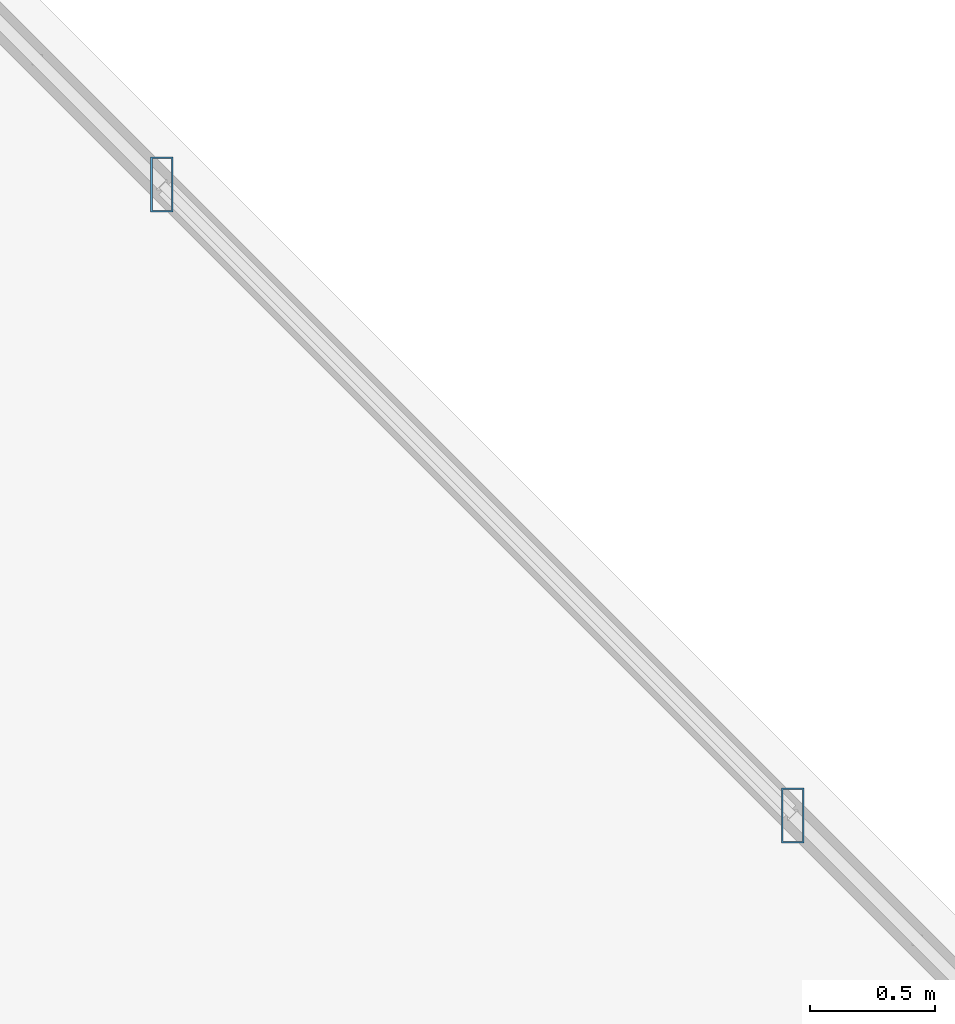
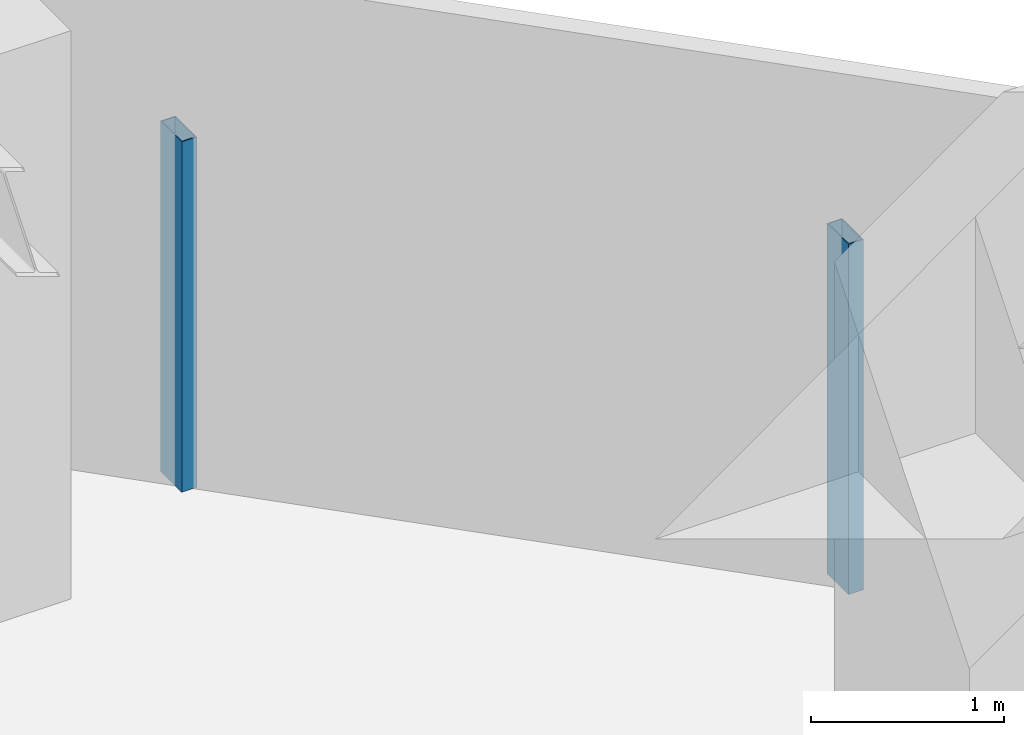
# One storey, part 9 of 36: 2 members, 1 element without a shape of its own.
"""IFC4 building model written with IfcOpenShell, lengths in metres."""

from ifc_helpers import new_model, si_unit, direction, frame, origin, origin_2d, place, context, subcontext, project, spatial, hollow_rectangle, extrude, material, material_profile, profile_set, type_object, element, aggregate, save


model = new_model("IFC4")

# Units and contexts
model_context = context("Model", 3, precision=1e-05, world=origin(), true_north=direction((0.0, 1.0)))
body_context = subcontext(model_context, "Body", "Model", "MODEL_VIEW")
ifc_project = project(units=[si_unit("LENGTHUNIT", "METRE"), si_unit("AREAUNIT", "SQUARE_METRE"), si_unit("VOLUMEUNIT", "CUBIC_METRE"), si_unit("PLANEANGLEUNIT", "RADIAN"), si_unit("MASSUNIT", "GRAM", prefix="KILO")], contexts=[model_context])

# Site, building, storey
site_placement = place(None, origin())
site = spatial("IfcSite", under=ifc_project, at=site_placement, CompositionType="ELEMENT")
building_placement = place(site_placement, origin())
building = spatial("IfcBuilding", under=site, at=building_placement, Name="Thornwick Lancets Civic Towers", CompositionType="ELEMENT")
storey_placement = place(building_placement, frame((0.0, 0.0, 45.89990234375)))
storey = spatial("IfcBuildingStorey", under=building, at=storey_placement, Name="L11", CompositionType="ELEMENT", Elevation=45.89990234375)

# Curtain wall, members
ifc_material_1 = material(Name="Low-zone chamfered-corner unitised glass curtain wall", Category="glass")
curtain_wall_type = type_object("IfcCurtainWallType", Name="CW_SYS_03", PredefinedType="NOTDEFINED", material=ifc_material_1)
curtain_wall_placement = place(storey_placement, origin())
curtain_wall = element("IfcCurtainWall", 1, at=curtain_wall_placement, inside=storey, type_object=curtain_wall_type, Name="L11 Curtain Wall CW-L11-A-E3", PredefinedType="NOTDEFINED")
ifc_material_2 = material(Name="Thermally broken bronze aluminium S355", Category="steel")
ifc_material_profile = material_profile(ifc_material_2, hollow_rectangle(XDim=0.090087890625, YDim=0.219970703125, WallThickness=0.00634765625, at=origin_2d()), Name="RHS 220x90x6.3")
ifc_profile_set = profile_set([ifc_material_profile], Name="Thermally broken bronze aluminium S355")
member_type = type_object("IfcMemberType", Name="CW_MUL_220", PredefinedType="MULLION", material=ifc_profile_set)
member_1_placement = place(storey_placement, frame((42.7578125, 41.7255859375, 0.0), z_axis=(0.0, 0.0, 1.0), x_axis=(1.0, 0.0, 0.0)))
member_1 = element("IfcMember", 2, at=member_1_placement, type_object=member_type, Name="CW-L11-A-E3 Mullion 0", PredefinedType="MULLION", context=body_context, shape_type="SweptSolid", body=[
    extrude(hollow_rectangle(XDim=0.090087890625, YDim=0.219970703125, WallThickness=0.00634765625, at=origin_2d()), origin(), (0.0, 0.0, 1.0), 2.22021484375),
])
member_2_placement = place(storey_placement, frame((40.2255859375, 44.2578125, 0.0), z_axis=(0.0, 0.0, 1.0), x_axis=(1.0, 0.0, 0.0)))
member_2 = element("IfcMember", 3, at=member_2_placement, type_object=member_type, Name="CW-L11-A-E3 Mullion 1", PredefinedType="MULLION", context=body_context, shape_type="SweptSolid", body=[
    extrude(hollow_rectangle(XDim=0.090087890625, YDim=0.219970703125, WallThickness=0.00634765625, at=origin_2d()), origin(), (0.0, 0.0, 1.0), 2.22021484375),
])
aggregate(curtain_wall, [member_1, member_2])

save(model, "model.ifc")
